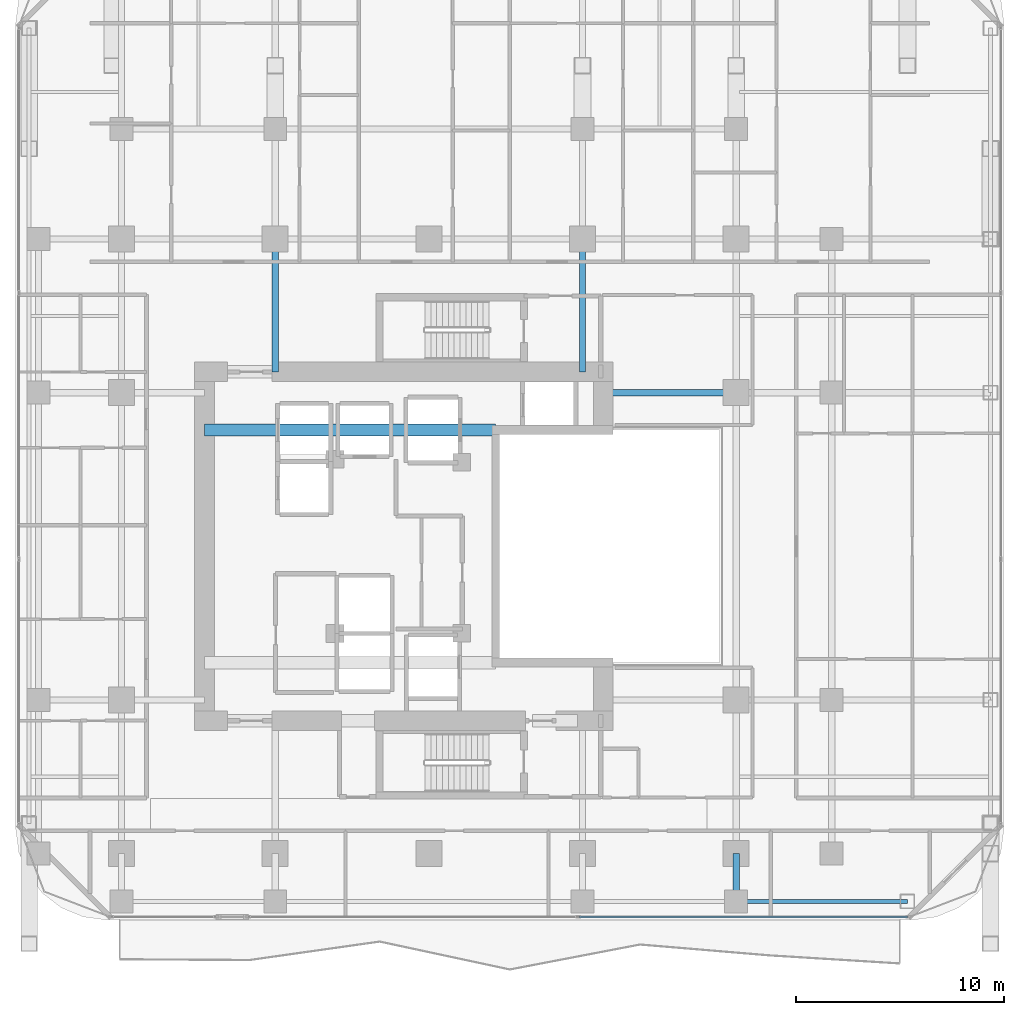
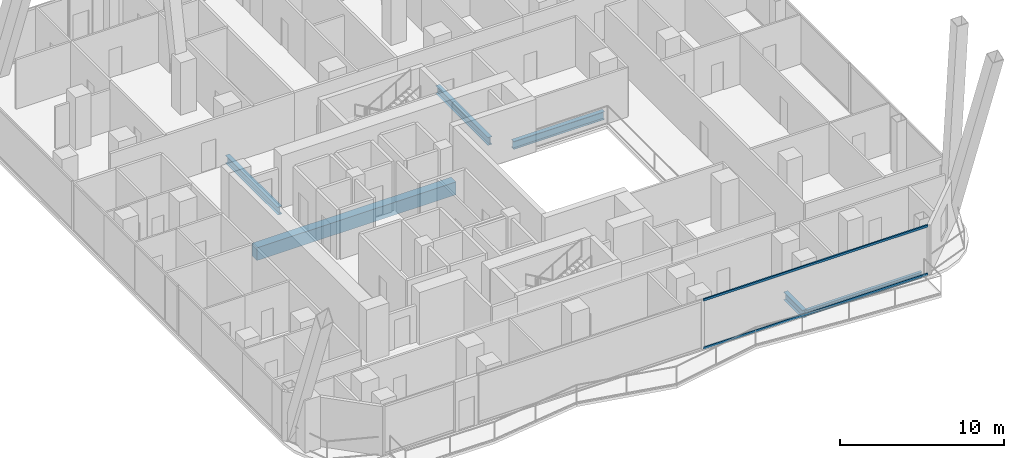
# One storey, part 8 of 28: 6 beams, 2 members, 1 element without a shape of its own.
"""IFC4 building model written with IfcOpenShell, lengths in metres."""

from ifc_helpers import new_model, si_unit, direction, frame, origin, origin_2d, place, context, subcontext, project, spatial, rectangle, hollow_rectangle, i_section, extrude, material, layer, layer_set, material_profile, profile_set, type_object, element, aggregate, save


model = new_model("IFC4")

# Units and contexts
model_context = context("Model", 3, precision=1e-05, world=origin(), true_north=direction((0.0, 1.0)))
body_context = subcontext(model_context, "Body", "Model", "MODEL_VIEW")
ifc_project = project(units=[si_unit("LENGTHUNIT", "METRE"), si_unit("AREAUNIT", "SQUARE_METRE"), si_unit("VOLUMEUNIT", "CUBIC_METRE"), si_unit("PLANEANGLEUNIT", "RADIAN"), si_unit("MASSUNIT", "GRAM", prefix="KILO")], contexts=[model_context])

# Site, building, storey
site_placement = place(None, origin())
site = spatial("IfcSite", under=ifc_project, at=site_placement, CompositionType="ELEMENT")
building_placement = place(site_placement, origin())
building = spatial("IfcBuilding", under=site, at=building_placement, Name="Khorvyn Point Tower", CompositionType="ELEMENT")
storey_placement = place(building_placement, frame((0.0, 0.0, 121.199951171875)))
storey = spatial("IfcBuildingStorey", under=building, at=storey_placement, Name="L30", CompositionType="ELEMENT", Elevation=121.199951171875)

# Curtain wall, members
ifc_material_1 = material(Name="Anodised aluminium 6063-T6 and laminated Low-E glass", Category="aluminium")
ifc_layer = layer(ifc_material_1, 0.18994140625)
ifc_layer_set = layer_set([ifc_layer], Name="Stick-Built Acoustic Curtain Wall CW-SYS-03")
curtain_wall_type = type_object("IfcCurtainWallType", Name="Stick-Built Acoustic Curtain Wall CW-SYS-03", PredefinedType="NOTDEFINED", material=ifc_layer_set)
curtain_wall_placement = place(storey_placement, origin())
curtain_wall = element("IfcCurtainWall", 1, at=curtain_wall_placement, inside=storey, type_object=curtain_wall_type, Name="Curtain Wall", PredefinedType="NOTDEFINED")
ifc_material_2 = material(Name="Anodised aluminium 6063-T6", Category="aluminium")
ifc_material_profile_1 = material_profile(ifc_material_2, hollow_rectangle(XDim=0.10009765625, YDim=0.159912109375, WallThickness=0.00439453125, at=origin_2d()))
ifc_profile_set_1 = profile_set([ifc_material_profile_1], Name="Anodised aluminium 6063-T6 ALU-TRN-100x160")
member_type = type_object("IfcMemberType", Name="Anodised Aluminium 6063-T6 Transom ALU-TRN-100x160", PredefinedType="USERDEFINED", material=ifc_profile_set_1)
member_1_placement = place(storey_placement, frame((23.050048828125, -17.85009765625, 0.050048828125), z_axis=(-1.0, 0.0, 0.0), x_axis=(0.0, -1.0, 0.0)))
member_1 = element("IfcMember", 2, at=member_1_placement, type_object=member_type, Name="Transom", ObjectType="TRANSOM", PredefinedType="USERDEFINED", context=body_context, shape_type="SweptSolid", body=[
    extrude(hollow_rectangle(XDim=0.10009765625, YDim=0.159912109375, WallThickness=0.00439453125, at=origin_2d()), origin(), (0.0, 0.0, 1.0), 15.800537109375),
])
member_2_placement = place(storey_placement, frame((23.050048828125, -17.85009765625, 3.630126953125), z_axis=(-1.0, 0.0, 0.0), x_axis=(0.0, -1.0, 0.0)))
member_2 = element("IfcMember", 3, at=member_2_placement, type_object=member_type, Name="Transom", ObjectType="TRANSOM", PredefinedType="USERDEFINED", context=body_context, shape_type="SweptSolid", body=[
    extrude(hollow_rectangle(XDim=0.10009765625, YDim=0.159912109375, WallThickness=0.00439453125, at=origin_2d()), origin(), (0.0, 0.0, 1.0), 15.800537109375),
])
aggregate(curtain_wall, [member_1, member_2])

# Beams
ifc_material_3 = material(Name="Concrete C50/60", Category="concrete")
ifc_material_profile_2 = material_profile(ifc_material_3, rectangle(XDim=0.60009765625, YDim=0.949951171875, at=origin_2d()))
ifc_profile_set_2 = profile_set([ifc_material_profile_2], Name="Concrete C50/60 RC600x950")
beam_type_1 = type_object("IfcBeamType", Name="Concrete C50/60 Beam RC600x950", PredefinedType="BEAM", material=ifc_profile_set_2)
beam_1_placement = place(storey_placement, frame((-10.800048828125, 5.60009765625, -0.695068359375), z_axis=(1.0, 0.0, 0.0), x_axis=(0.0, 1.0, 0.0)))
element("IfcBeam", 4, at=beam_1_placement, inside=storey, type_object=beam_type_1, Name="L30 Core Internal Tie Girder N", PredefinedType="BEAM", context=body_context, shape_type="SweptSolid", body=[
    extrude(rectangle(XDim=0.60009765625, YDim=0.949951171875, at=origin_2d()), origin(), (0.0, 0.0, 1.0), 14.02001953125),
])
ifc_material_4 = material(Name="Steel S355", Category="steel")
ifc_material_profile_3 = material_profile(ifc_material_4, i_section(OverallWidth=0.300048828125, OverallDepth=0.587890625, WebThickness=0.011962890625, FlangeThickness=0.02001953125, at=origin_2d()))
ifc_profile_set_3 = profile_set([ifc_material_profile_3], Name="Steel S355 H588x300x12x20")
beam_type_2 = type_object("IfcBeamType", Name="Steel S355 Beam H588x300x12x20", PredefinedType="BEAM", material=ifc_profile_set_3)
beam_2_placement = place(storey_placement, frame((8.39990234375, 7.39990234375, -0.513916015625), z_axis=(1.0, 0.0, 0.0), x_axis=(0.0, 1.0, 0.0)))
element("IfcBeam", 5, at=beam_2_placement, inside=storey, type_object=beam_type_2, Name="Beam", PredefinedType="BEAM", context=body_context, shape_type="SweptSolid", body=[
    extrude(i_section(OverallWidth=0.300048828125, OverallDepth=0.587890625, WebThickness=0.011962890625, FlangeThickness=0.02001953125, at=origin_2d()), origin(), (0.0, 0.0, 1.0), 6.400146484375),
])
beam_3_placement = place(storey_placement, frame((14.800048828125, -17.10009765625, -0.513916015625), z_axis=(0.0, 1.0, 0.0), x_axis=(-1.0, 0.0, 0.0)))
element("IfcBeam", 6, at=beam_3_placement, inside=storey, type_object=beam_type_2, Name="Beam", PredefinedType="BEAM", context=body_context, shape_type="SweptSolid", body=[
    extrude(i_section(OverallWidth=0.300048828125, OverallDepth=0.587890625, WebThickness=0.011962890625, FlangeThickness=0.02001953125, at=origin_2d()), origin(), (0.0, 0.0, 1.0), 2.300048828125),
])
for number, where, z_axis, x_axis, name in (
    (7, (-7.39990234375, 8.39990234375, -0.513916015625), (0.0, 1.0, 0.0), (-1.0, 0.0, 0.0), "Beam"),
    (8, (7.39990234375, 8.39990234375, -0.513916015625), (0.0, 1.0, 0.0), (-1.0, 0.0, 0.0), "Beam"),
):
    element("IfcBeam", number, at=place(storey_placement, frame(where, z_axis=z_axis, x_axis=x_axis)), inside=storey, type_object=beam_type_2, Name=name, PredefinedType="BEAM", context=body_context, shape_type="SweptSolid", body=[
        extrude(i_section(OverallWidth=0.300048828125, OverallDepth=0.587890625, WebThickness=0.011962890625, FlangeThickness=0.02001953125, at=origin_2d()), origin(), (0.0, 0.0, 1.0), 6.400146484375),
    ])
ifc_material_profile_4 = material_profile(ifc_material_4, i_section(OverallWidth=0.199951171875, OverallDepth=0.449951171875, WebThickness=0.009033203125, FlangeThickness=0.013916015625, at=origin_2d()))
ifc_profile_set_4 = profile_set([ifc_material_profile_4], Name="Steel S355 H450x200x9x14")
beam_type_3 = type_object("IfcBeamType", Name="Steel S355 Spandrel H450x200x9x14", PredefinedType="SPANDREL", material=ifc_profile_set_4)
beam_4_placement = place(storey_placement, frame((14.800048828125, -17.10009765625, -0.445068359375), z_axis=(1.0, 0.0, 0.0), x_axis=(0.0, 1.0, 0.0)))
element("IfcBeam", 9, at=beam_4_placement, inside=storey, type_object=beam_type_3, Name="Beam", PredefinedType="SPANDREL", context=body_context, shape_type="SweptSolid", body=[
    extrude(i_section(OverallWidth=0.199951171875, OverallDepth=0.449951171875, WebThickness=0.009033203125, FlangeThickness=0.013916015625, at=origin_2d()), origin(), (0.0, 0.0, 1.0), 8.25),
])

save(model, "model.ifc")
